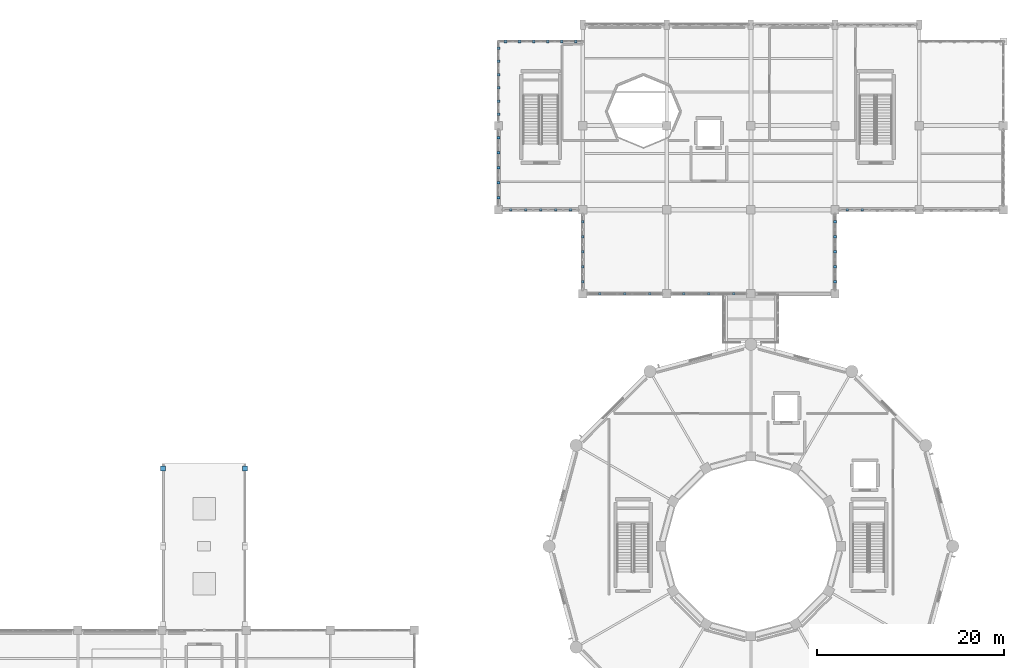
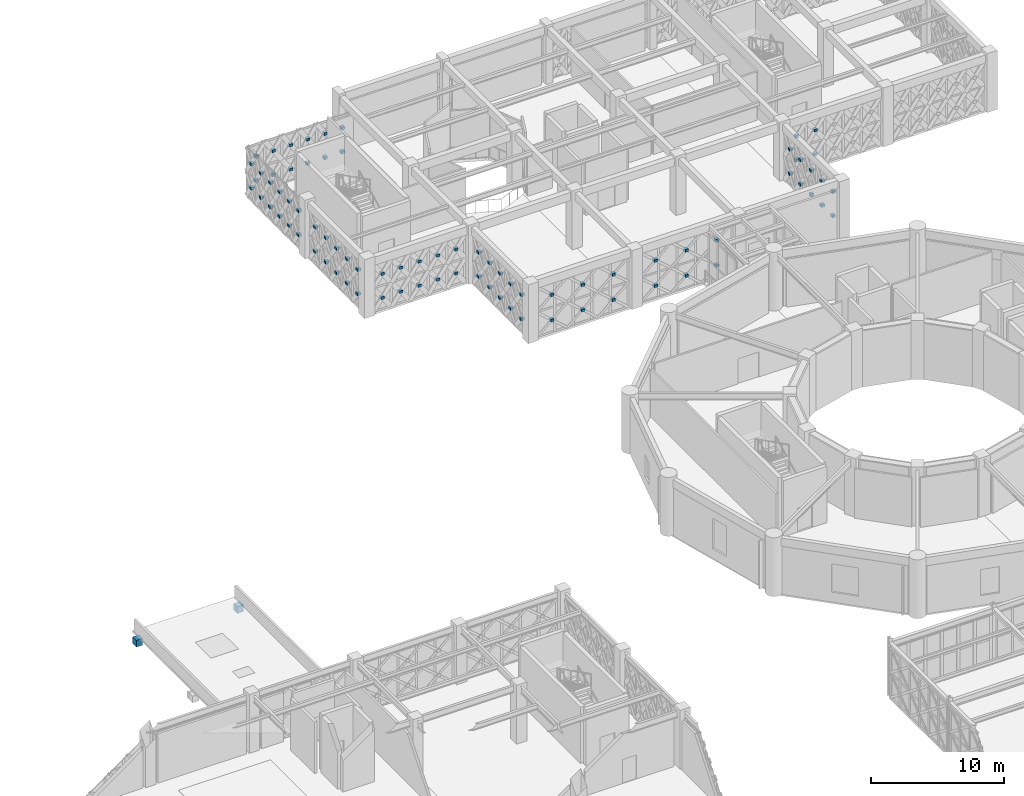
# One storey, part 142 of 155: 82 discrete accessories.
"""IFC4 building model written with IfcOpenShell, lengths in metres."""

import ifcopenshell
import ifcopenshell.guid

model = None  # the IFC model being written
_history = None  # IfcOwnerHistory: only IFC2X3 demands one
_inside = {}  # id of a spatial element -> (the spatial element, [elements in it])
_under = {}  # id of a project, library or spatial element -> (it, [spatial elements below it])
_declared = {}  # id of a project -> (the project, [libraries it declares])
_typed = {}  # id of a type object -> (the type object, [elements of that type])
_made_of = {}  # id of a material, layer set ... -> (it, [elements and type objects made of it])


def new_model(schema):
    """Start an empty IFC model of exactly this schema.

    Asked for "IFC4X3", IfcOpenShell would pick the latest addendum, in which some entities
    have other attributes; the version numbers below select the first issue.
    IFC2X3 requires an IfcOwnerHistory on every rooted entity: one is made here for all.
    """
    global model, _history
    if schema == "IFC4X3":
        model = ifcopenshell.file(schema_version=(4, 3, 0, 0))
    else:
        model = ifcopenshell.file(schema=schema)
    _inside.clear()
    _under.clear()
    _declared.clear()
    _typed.clear()
    _made_of.clear()
    _history = None
    if model.schema == "IFC2X3":
        org = make("IfcOrganization", Name="unknown")
        user = make(
            "IfcPersonAndOrganization",
            ThePerson=make("IfcPerson", FamilyName="unknown"),
            TheOrganization=org,
        )
        app = make(
            "IfcApplication",
            ApplicationDeveloper=org,
            Version="unknown",
            ApplicationFullName="unknown",
            ApplicationIdentifier="unknown",
        )
        _history = make(
            "IfcOwnerHistory",
            OwningUser=user,
            OwningApplication=app,
            ChangeAction="ADDED",
            CreationDate=0,
        )
    return model


def make(cls, **values):
    """One entity of the class cls with the attributes given. An attribute that is None is left unset."""
    return model.create_entity(
        cls, **{name: value for name, value in values.items() if value is not None}
    )


def rooted(cls, **values):
    """An entity with a GlobalId (a new one), such as an element, a storey or a relation."""
    return make(cls, GlobalId=ifcopenshell.guid.new(), OwnerHistory=_history, **values)


def si_unit(unit_type, name, prefix=None):
    """IfcSIUnit, for example si_unit("LENGTHUNIT", "METRE", prefix="MILLI")."""
    return make("IfcSIUnit", UnitType=unit_type, Prefix=prefix, Name=name)


def assignment(units):
    """IfcUnitAssignment: the units of a project."""
    return None if units is None else make("IfcUnitAssignment", Units=units)


def point(xyz):
    """IfcCartesianPoint."""
    return None if xyz is None else make("IfcCartesianPoint", Coordinates=xyz)


def direction(xyz):
    """IfcDirection."""
    return None if xyz is None else make("IfcDirection", DirectionRatios=xyz)


def frame(location, z_axis=None, x_axis=None):
    """IfcAxis2Placement3D, a coordinate frame: its origin and axes. An axis left out is left unset."""
    return make(
        "IfcAxis2Placement3D",
        Location=point(location),
        Axis=direction(z_axis),
        RefDirection=direction(x_axis),
    )


def frame_2d(location, x_axis=None):
    """IfcAxis2Placement2D, a coordinate frame in the plane: its origin and x axis."""
    return make(
        "IfcAxis2Placement2D", Location=point(location), RefDirection=direction(x_axis)
    )


def origin():
    """The frame at (0, 0, 0) with its axes left unset."""
    return frame((0.0, 0.0, 0.0))


def origin_2d():
    """The frame at (0, 0) in the plane with its x axis left unset."""
    return frame_2d((0.0, 0.0))


def place(relative_to, where):
    """IfcLocalPlacement: puts the frame where relative to a parent placement (None: the world)."""
    return make(
        "IfcLocalPlacement", PlacementRelTo=relative_to, RelativePlacement=where
    )


def context(
    kind, dimensions, precision=None, world=None, true_north=None, identifier=None
):
    """IfcGeometricRepresentationContext, for example the 3D "Model" context."""
    return make(
        "IfcGeometricRepresentationContext",
        ContextIdentifier=identifier,
        ContextType=kind,
        CoordinateSpaceDimension=dimensions,
        Precision=precision,
        WorldCoordinateSystem=world,
        TrueNorth=true_north,
    )


def subcontext(parent, identifier, kind, view, scale=None):
    """IfcGeometricRepresentationSubContext, for example "Body" below "Model"."""
    return make(
        "IfcGeometricRepresentationSubContext",
        ContextIdentifier=identifier,
        ContextType=kind,
        ParentContext=parent,
        TargetScale=scale,
        TargetView=view,
    )


def project(units=None, contexts=None):
    """IfcProject with its units and contexts."""
    return rooted(
        "IfcProject",
        Name="project",
        RepresentationContexts=contexts,
        UnitsInContext=assignment(units),
    )


def spatial(cls, under=None, at=None, **own):
    """A site, building, storey or space (cls), placed at a placement, below another one or the project."""
    s = rooted(cls, ObjectPlacement=at, **own)
    if under is not None:
        _under.setdefault(under.id(), (under, []))[1].append(s)
    return s


def profile(cls, at=None, kind="AREA", **sizes):
    """A parametric profile (cls). Its sizes go by their IFC names, for example OverallWidth=200.0."""
    return make(cls, ProfileType=kind, Position=at, **sizes)


def rectangle(**sizes):
    """IfcRectangleProfileDef."""
    return profile("IfcRectangleProfileDef", **sizes)


def extrude(swept, where, along, depth):
    """IfcExtrudedAreaSolid: the profile swept, set in the frame where, extruded along a direction by depth."""
    return make(
        "IfcExtrudedAreaSolid",
        SweptArea=swept,
        Position=where,
        ExtrudedDirection=direction(along),
        Depth=depth,
    )


def shape(context_of_items, identifier, shape_type, items):
    """IfcShapeRepresentation: the items that make up one representation, for example the "Body"."""
    return make(
        "IfcShapeRepresentation",
        ContextOfItems=context_of_items,
        RepresentationIdentifier=identifier,
        RepresentationType=shape_type,
        Items=items,
    )


def material(Name=None, Category=None):
    """IfcMaterial."""
    return make("IfcMaterial", Name=Name, Category=Category)


def made_of(thing, what):
    """Note that an element or type object is made of a material, layer set ...; save() writes the relation."""
    if what is not None:
        _made_of.setdefault(what.id(), (what, []))[1].append(thing)
    return thing


def type_object(cls, material=None, **own):
    """A type object (cls), such as IfcWallType, which elements share."""
    return made_of(rooted(cls, **own), material)


def element(
    cls,
    number,
    at=None,
    inside=None,
    cuts=None,
    type_object=None,
    material=None,
    context=None,
    identifier="Body",
    shape_type=None,
    held_by="IfcProductDefinitionShape",
    body=None,
    shapes=None,
    **own,
):
    """One element of the class cls, such as IfcWall. Its Tag is "e" and its number.

    at: its placement. inside: the storey or other place that contains it. cuts: it is an
    opening in that element (IfcRelVoidsElement). A single representation is given by context,
    identifier, shape_type and body (its items); several are given by shapes. held_by: the class
    of the entity that holds the representations. save() writes the other relations.
    """
    e = rooted(cls, Tag="e%d" % number, ObjectPlacement=at, **own)
    if body is not None:
        shapes = [shape(context, identifier, shape_type, body)]
    if shapes is not None:
        e.Representation = make(held_by, Representations=shapes)
    if inside is not None:
        _inside.setdefault(inside.id(), (inside, []))[1].append(e)
    if cuts is not None:
        rooted(
            "IfcRelVoidsElement", RelatingBuildingElement=cuts, RelatedOpeningElement=e
        )
    if type_object is not None:
        _typed.setdefault(type_object.id(), (type_object, []))[1].append(e)
    return made_of(e, material)


def aggregate(whole, parts):
    """IfcRelAggregates: a whole, such as a stair, and the parts it consists of."""
    return rooted("IfcRelAggregates", RelatingObject=whole, RelatedObjects=parts)


def save(model, path):
    """Write the relations noted so far, then the file.

    IfcRelAggregates (storeys below a building ...), IfcRelContainedInSpatialStructure (elements
    in a storey), IfcRelDefinesByType, IfcRelAssociatesMaterial and IfcRelDeclares: one each for
    every whole, place, type object, material and project.
    """
    for whole, parts in _under.values():
        aggregate(whole, parts)
    for where, things in _inside.values():
        rooted(
            "IfcRelContainedInSpatialStructure",
            RelatedElements=things,
            RelatingStructure=where,
        )
    for kind, things in _typed.values():
        rooted("IfcRelDefinesByType", RelatedObjects=things, RelatingType=kind)
    for what, things in _made_of.values():
        rooted("IfcRelAssociatesMaterial", RelatedObjects=things, RelatingMaterial=what)
    for by, libraries in _declared.values():
        rooted("IfcRelDeclares", RelatingContext=by, RelatedDefinitions=libraries)
    model.write(path)


model = new_model("IFC4")

# Units and contexts
model_context = context("Model", 3, precision=1e-05, world=origin(), true_north=direction((0.0, 1.0)))
body_context = subcontext(model_context, "Body", "Model", "MODEL_VIEW")
ifc_project = project(units=[si_unit("LENGTHUNIT", "METRE"), si_unit("AREAUNIT", "SQUARE_METRE"), si_unit("VOLUMEUNIT", "CUBIC_METRE"), si_unit("PLANEANGLEUNIT", "RADIAN"), si_unit("MASSUNIT", "GRAM", prefix="KILO")], contexts=[model_context])

# Site, building, storey
site_placement = place(None, origin())
site = spatial("IfcSite", under=ifc_project, at=site_placement, CompositionType="ELEMENT")
building_placement = place(site_placement, origin())
building = spatial("IfcBuilding", under=site, at=building_placement, Name="Haizhuo Lancet Aquarium", CompositionType="ELEMENT")
storey_placement = place(building_placement, frame((0.0, 0.0, 10.800048828125)))
storey = spatial("IfcBuildingStorey", under=building, at=storey_placement, Name="L02", CompositionType="ELEMENT", Elevation=10.800048828125)

# Discrete accessories
ifc_material = material(Name="Steel S355", Category="steel")
discrete_accessory_type = type_object("IfcDiscreteAccessoryType", Name="ACC-END-CAP", PredefinedType="BRACKET", material=ifc_material)
for number, where, z_axis, x_axis, name in (
    (1, (-62.8798828125, 8.320068359375, -0.9501953125), (0.0, 0.0, 1.0), (1.0, 0.0, 0.0), "L02 welded Steel S355 brace end-cap bracket EC-SB-1-4"),
    (2, (-54.1201171875, 8.320068359375, -0.9501953125), (0.0, 0.0, 1.0), (1.0, 0.0, 0.0), "L02 welded Steel S355 brace end-cap bracket EC-SB-2-4"),
):
    element("IfcDiscreteAccessory", number, at=place(storey_placement, frame(where, z_axis=z_axis, x_axis=x_axis)), inside=storey, type_object=discrete_accessory_type, material=ifc_material, Name=name, PredefinedType="BRACKET", context=body_context, shape_type="SweptSolid", body=[
        extrude(rectangle(XDim=0.550048828125, YDim=0.550048828125, at=origin_2d()), origin(), (0.0, 0.0, 1.0), 0.60009765625),
    ])
for number, where, z_axis, x_axis, name in (
    (3, (-19.2958984375, 36.0, 0.98193359375), (0.0, 0.0, 1.0), (1.0, 0.0, 0.0), "L02 X-brace crossing gusset plate XN-CW-V5-L02-143-LB01B1"),
    (4, (-19.2958984375, 36.0, 3.18798828125), (0.0, 0.0, 1.0), (1.0, 0.0, 0.0), "L02 X-brace crossing gusset plate XN-CW-V5-L02-143-LB02B1"),
    (5, (-20.89794921875, 36.0, 0.98193359375), (0.0, 0.0, 1.0), (1.0, 0.0, 0.0), "L02 X-brace crossing gusset plate XN-CW-V5-L02-143-LB03B1"),
    (6, (-20.89794921875, 36.0, 3.18798828125), (0.0, 0.0, 1.0), (1.0, 0.0, 0.0), "L02 X-brace crossing gusset plate XN-CW-V5-L02-143-LB04B1"),
    (7, (-22.5, 36.0, 0.98193359375), (0.0, 0.0, 1.0), (1.0, 0.0, 0.0), "L02 X-brace crossing gusset plate XN-CW-V5-L02-143-LB05B1"),
    (8, (-22.5, 36.0, 3.18798828125), (0.0, 0.0, 1.0), (1.0, 0.0, 0.0), "L02 X-brace crossing gusset plate XN-CW-V5-L02-143-LB06B1"),
    (9, (-24.10205078125, 36.0, 0.98193359375), (0.0, 0.0, 1.0), (1.0, 0.0, 0.0), "L02 X-brace crossing gusset plate XN-CW-V5-L02-143-LB07B1"),
    (10, (-24.10205078125, 36.0, 3.18798828125), (0.0, 0.0, 1.0), (1.0, 0.0, 0.0), "L02 X-brace crossing gusset plate XN-CW-V5-L02-143-LB08B1"),
    (11, (-25.7041015625, 36.0, 0.98193359375), (0.0, 0.0, 1.0), (1.0, 0.0, 0.0), "L02 X-brace crossing gusset plate XN-CW-V5-L02-143-LB09B1"),
    (12, (-25.7041015625, 36.0, 3.18798828125), (0.0, 0.0, 1.0), (1.0, 0.0, 0.0), "L02 X-brace crossing gusset plate XN-CW-V5-L02-143-LB10B1"),
    (13, (-27.0, 37.2958984375, 0.9951171875), (0.0, 0.0, 1.0), (1.0, 0.0, 0.0), "L02 X-brace crossing gusset plate XN-CW-V5-L02-144-LB01B1"),
    (14, (-27.0, 37.2958984375, 3.22509765625), (0.0, 0.0, 1.0), (1.0, 0.0, 0.0), "L02 X-brace crossing gusset plate XN-CW-V5-L02-144-LB02B1"),
    (15, (-27.0, 38.89794921875, 0.9951171875), (0.0, 0.0, 1.0), (1.0, 0.0, 0.0), "L02 X-brace crossing gusset plate XN-CW-V5-L02-144-LB03B1"),
    (16, (-27.0, 38.89794921875, 3.22509765625), (0.0, 0.0, 1.0), (1.0, 0.0, 0.0), "L02 X-brace crossing gusset plate XN-CW-V5-L02-144-LB04B1"),
    (17, (-27.0, 40.5, 0.9951171875), (0.0, 0.0, 1.0), (1.0, 0.0, 0.0), "L02 X-brace crossing gusset plate XN-CW-V5-L02-144-LB05B1"),
    (18, (-27.0, 40.5, 3.22509765625), (0.0, 0.0, 1.0), (1.0, 0.0, 0.0), "L02 X-brace crossing gusset plate XN-CW-V5-L02-144-LB06B1"),
    (19, (-27.0, 42.10205078125, 0.9951171875), (0.0, 0.0, 1.0), (1.0, 0.0, 0.0), "L02 X-brace crossing gusset plate XN-CW-V5-L02-144-LB07B1"),
    (20, (-27.0, 42.10205078125, 3.22509765625), (0.0, 0.0, 1.0), (1.0, 0.0, 0.0), "L02 X-brace crossing gusset plate XN-CW-V5-L02-144-LB08B1"),
    (21, (-27.0, 43.7041015625, 0.9951171875), (0.0, 0.0, 1.0), (1.0, 0.0, 0.0), "L02 X-brace crossing gusset plate XN-CW-V5-L02-144-LB09B1"),
    (22, (-27.0, 43.7041015625, 3.22509765625), (0.0, 0.0, 1.0), (1.0, 0.0, 0.0), "L02 X-brace crossing gusset plate XN-CW-V5-L02-144-LB10B1"),
    (23, (-27.0, 46.202880859375, 0.9921875), (0.0, 0.0, 1.0), (1.0, 0.0, 0.0), "L02 X-brace crossing gusset plate XN-CW-V5-L02-145-LB01B1"),
    (24, (-27.0, 46.202880859375, 3.2138671875), (0.0, 0.0, 1.0), (1.0, 0.0, 0.0), "L02 X-brace crossing gusset plate XN-CW-V5-L02-145-LB02B1"),
    (25, (-27.0, 47.62109375, 0.9921875), (0.0, 0.0, 1.0), (1.0, 0.0, 0.0), "L02 X-brace crossing gusset plate XN-CW-V5-L02-145-LB03B1"),
    (26, (-27.0, 47.62109375, 3.2138671875), (0.0, 0.0, 1.0), (1.0, 0.0, 0.0), "L02 X-brace crossing gusset plate XN-CW-V5-L02-145-LB04B1"),
    (27, (-27.0, 49.0390625, 0.9921875), (0.0, 0.0, 1.0), (1.0, 0.0, 0.0), "L02 X-brace crossing gusset plate XN-CW-V5-L02-145-LB05B1"),
    (28, (-27.0, 49.0390625, 3.2138671875), (0.0, 0.0, 1.0), (1.0, 0.0, 0.0), "L02 X-brace crossing gusset plate XN-CW-V5-L02-145-LB06B1"),
    (29, (-27.0, 50.4560546875, 0.9921875), (0.0, 0.0, 1.0), (1.0, 0.0, 0.0), "L02 X-brace crossing gusset plate XN-CW-V5-L02-145-LB07B1"),
    (30, (-27.0, 50.4560546875, 3.2138671875), (0.0, 0.0, 1.0), (1.0, 0.0, 0.0), "L02 X-brace crossing gusset plate XN-CW-V5-L02-145-LB08B1"),
    (31, (-27.0, 51.8740234375, 0.9921875), (0.0, 0.0, 1.0), (1.0, 0.0, 0.0), "L02 X-brace crossing gusset plate XN-CW-V5-L02-145-LB09B1"),
    (32, (-27.0, 51.8740234375, 3.2138671875), (0.0, 0.0, 1.0), (1.0, 0.0, 0.0), "L02 X-brace crossing gusset plate XN-CW-V5-L02-145-LB10B1"),
    (33, (-27.0, 53.291015625, 0.9921875), (0.0, 0.0, 1.0), (1.0, 0.0, 0.0), "L02 X-brace crossing gusset plate XN-CW-V5-L02-145-LB11B1"),
    (34, (-27.0, 53.291015625, 3.2138671875), (0.0, 0.0, 1.0), (1.0, 0.0, 0.0), "L02 X-brace crossing gusset plate XN-CW-V5-L02-145-LB12B1"),
    (35, (-26.25, 54.0, 0.9921875), (0.0, 0.0, 1.0), (1.0, 0.0, 0.0), "L02 X-brace crossing gusset plate XN-CW-V5-L02-146-LB01B1"),
    (36, (-26.25, 54.0, 3.2138671875), (0.0, 0.0, 1.0), (1.0, 0.0, 0.0), "L02 X-brace crossing gusset plate XN-CW-V5-L02-146-LB02B1"),
    (37, (-24.75, 54.0, 0.9921875), (0.0, 0.0, 1.0), (1.0, 0.0, 0.0), "L02 X-brace crossing gusset plate XN-CW-V5-L02-146-LB03B1"),
    (38, (-24.75, 54.0, 3.2138671875), (0.0, 0.0, 1.0), (1.0, 0.0, 0.0), "L02 X-brace crossing gusset plate XN-CW-V5-L02-146-LB04B1"),
    (39, (-23.25, 54.0, 0.9921875), (0.0, 0.0, 1.0), (1.0, 0.0, 0.0), "L02 X-brace crossing gusset plate XN-CW-V5-L02-146-LB05B1"),
    (40, (-23.25, 54.0, 3.2138671875), (0.0, 0.0, 1.0), (1.0, 0.0, 0.0), "L02 X-brace crossing gusset plate XN-CW-V5-L02-146-LB06B1"),
    (41, (-21.75, 54.0, 0.9921875), (0.0, 0.0, 1.0), (1.0, 0.0, 0.0), "L02 X-brace crossing gusset plate XN-CW-V5-L02-146-LB07B1"),
    (42, (-21.75, 54.0, 3.2138671875), (0.0, 0.0, 1.0), (1.0, 0.0, 0.0), "L02 X-brace crossing gusset plate XN-CW-V5-L02-146-LB08B1"),
    (43, (-20.25, 54.0, 0.9921875), (0.0, 0.0, 1.0), (1.0, 0.0, 0.0), "L02 X-brace crossing gusset plate XN-CW-V5-L02-146-LB09B1"),
    (44, (-20.25, 54.0, 3.2138671875), (0.0, 0.0, 1.0), (1.0, 0.0, 0.0), "L02 X-brace crossing gusset plate XN-CW-V5-L02-146-LB10B1"),
    (45, (-18.75, 54.0, 0.9921875), (0.0, 0.0, 1.0), (1.0, 0.0, 0.0), "L02 X-brace crossing gusset plate XN-CW-V5-L02-146-LB11B1"),
    (46, (-18.75, 54.0, 3.2138671875), (0.0, 0.0, 1.0), (1.0, 0.0, 0.0), "L02 X-brace crossing gusset plate XN-CW-V5-L02-146-LB12B1"),
    (47, (11.89794921875, 36.0, 0.98193359375), (0.0, 0.0, 1.0), (1.0, 0.0, 0.0), "L02 X-brace crossing gusset plate XN-CW-V5-L02-155-LB07B1"),
    (48, (11.89794921875, 36.0, 3.18798828125), (0.0, 0.0, 1.0), (1.0, 0.0, 0.0), "L02 X-brace crossing gusset plate XN-CW-V5-L02-155-LB08B1"),
    (49, (10.2958984375, 36.0, 0.98193359375), (0.0, 0.0, 1.0), (1.0, 0.0, 0.0), "L02 X-brace crossing gusset plate XN-CW-V5-L02-155-LB09B1"),
    (50, (10.2958984375, 36.0, 3.18798828125), (0.0, 0.0, 1.0), (1.0, 0.0, 0.0), "L02 X-brace crossing gusset plate XN-CW-V5-L02-155-LB10B1"),
    (51, (9.0, 34.7041015625, 0.9951171875), (0.0, 0.0, 1.0), (1.0, 0.0, 0.0), "L02 X-brace crossing gusset plate XN-CW-V5-L02-156-LB01B1"),
    (52, (9.0, 34.7041015625, 3.22509765625), (0.0, 0.0, 1.0), (1.0, 0.0, 0.0), "L02 X-brace crossing gusset plate XN-CW-V5-L02-156-LB02B1"),
    (53, (9.0, 33.10205078125, 0.9951171875), (0.0, 0.0, 1.0), (1.0, 0.0, 0.0), "L02 X-brace crossing gusset plate XN-CW-V5-L02-156-LB03B1"),
    (54, (9.0, 33.10205078125, 3.22509765625), (0.0, 0.0, 1.0), (1.0, 0.0, 0.0), "L02 X-brace crossing gusset plate XN-CW-V5-L02-156-LB04B1"),
    (55, (9.0, 31.5, 0.9951171875), (0.0, 0.0, 1.0), (1.0, 0.0, 0.0), "L02 X-brace crossing gusset plate XN-CW-V5-L02-156-LB05B1"),
    (56, (9.0, 31.5, 3.22509765625), (0.0, 0.0, 1.0), (1.0, 0.0, 0.0), "L02 X-brace crossing gusset plate XN-CW-V5-L02-156-LB06B1"),
    (57, (9.0, 29.89794921875, 0.9951171875), (0.0, 0.0, 1.0), (1.0, 0.0, 0.0), "L02 X-brace crossing gusset plate XN-CW-V5-L02-156-LB07B1"),
    (58, (9.0, 29.89794921875, 3.22509765625), (0.0, 0.0, 1.0), (1.0, 0.0, 0.0), "L02 X-brace crossing gusset plate XN-CW-V5-L02-156-LB08B1"),
    (59, (9.0, 28.2958984375, 0.9951171875), (0.0, 0.0, 1.0), (1.0, 0.0, 0.0), "L02 X-brace crossing gusset plate XN-CW-V5-L02-156-LB09B1"),
    (60, (9.0, 28.2958984375, 3.22509765625), (0.0, 0.0, 1.0), (1.0, 0.0, 0.0), "L02 X-brace crossing gusset plate XN-CW-V5-L02-156-LB10B1"),
    (61, (-1.830078125, 27.0, 1.04296875), (0.0, 0.0, 1.0), (1.0, 0.0, 0.0), "L02 X-brace crossing gusset plate XN-CW-V5-L02-157-LB01B1"),
    (62, (-1.830078125, 27.0, 3.3671875), (0.0, 0.0, 1.0), (1.0, 0.0, 0.0), "L02 X-brace crossing gusset plate XN-CW-V5-L02-157-LB02B1"),
    (63, (-4.5, 27.0, 1.04296875), (0.0, 0.0, 1.0), (1.0, 0.0, 0.0), "L02 X-brace crossing gusset plate XN-CW-V5-L02-157-LB03B1"),
    (64, (-4.5, 27.0, 3.3671875), (0.0, 0.0, 1.0), (1.0, 0.0, 0.0), "L02 X-brace crossing gusset plate XN-CW-V5-L02-157-LB04B1"),
    (65, (-7.169921875, 27.0, 1.04296875), (0.0, 0.0, 1.0), (1.0, 0.0, 0.0), "L02 X-brace crossing gusset plate XN-CW-V5-L02-157-LB05B1"),
    (66, (-7.169921875, 27.0, 3.3671875), (0.0, 0.0, 1.0), (1.0, 0.0, 0.0), "L02 X-brace crossing gusset plate XN-CW-V5-L02-157-LB06B1"),
    (67, (-10.830078125, 27.0, 1.04296875), (0.0, 0.0, 1.0), (1.0, 0.0, 0.0), "L02 X-brace crossing gusset plate XN-CW-V5-L02-158-LB01B1"),
    (68, (-10.830078125, 27.0, 3.3671875), (0.0, 0.0, 1.0), (1.0, 0.0, 0.0), "L02 X-brace crossing gusset plate XN-CW-V5-L02-158-LB02B1"),
    (69, (-13.5, 27.0, 1.04296875), (0.0, 0.0, 1.0), (1.0, 0.0, 0.0), "L02 X-brace crossing gusset plate XN-CW-V5-L02-158-LB03B1"),
    (70, (-13.5, 27.0, 3.3671875), (0.0, 0.0, 1.0), (1.0, 0.0, 0.0), "L02 X-brace crossing gusset plate XN-CW-V5-L02-158-LB04B1"),
    (71, (-16.169921875, 27.0, 1.04296875), (0.0, 0.0, 1.0), (1.0, 0.0, 0.0), "L02 X-brace crossing gusset plate XN-CW-V5-L02-158-LB05B1"),
    (72, (-16.169921875, 27.0, 3.3671875), (0.0, 0.0, 1.0), (1.0, 0.0, 0.0), "L02 X-brace crossing gusset plate XN-CW-V5-L02-158-LB06B1"),
    (73, (-18.0, 28.2958984375, 0.9951171875), (0.0, 0.0, 1.0), (1.0, 0.0, 0.0), "L02 X-brace crossing gusset plate XN-CW-V5-L02-159-LB01B1"),
    (74, (-18.0, 28.2958984375, 3.22509765625), (0.0, 0.0, 1.0), (1.0, 0.0, 0.0), "L02 X-brace crossing gusset plate XN-CW-V5-L02-159-LB02B1"),
    (75, (-18.0, 29.89794921875, 0.9951171875), (0.0, 0.0, 1.0), (1.0, 0.0, 0.0), "L02 X-brace crossing gusset plate XN-CW-V5-L02-159-LB03B1"),
    (76, (-18.0, 29.89794921875, 3.22509765625), (0.0, 0.0, 1.0), (1.0, 0.0, 0.0), "L02 X-brace crossing gusset plate XN-CW-V5-L02-159-LB04B1"),
    (77, (-18.0, 31.5, 0.9951171875), (0.0, 0.0, 1.0), (1.0, 0.0, 0.0), "L02 X-brace crossing gusset plate XN-CW-V5-L02-159-LB05B1"),
    (78, (-18.0, 31.5, 3.22509765625), (0.0, 0.0, 1.0), (1.0, 0.0, 0.0), "L02 X-brace crossing gusset plate XN-CW-V5-L02-159-LB06B1"),
    (79, (-18.0, 33.10205078125, 0.9951171875), (0.0, 0.0, 1.0), (1.0, 0.0, 0.0), "L02 X-brace crossing gusset plate XN-CW-V5-L02-159-LB07B1"),
    (80, (-18.0, 33.10205078125, 3.22509765625), (0.0, 0.0, 1.0), (1.0, 0.0, 0.0), "L02 X-brace crossing gusset plate XN-CW-V5-L02-159-LB08B1"),
    (81, (-18.0, 34.7041015625, 0.9951171875), (0.0, 0.0, 1.0), (1.0, 0.0, 0.0), "L02 X-brace crossing gusset plate XN-CW-V5-L02-159-LB09B1"),
    (82, (-18.0, 34.7041015625, 3.22509765625), (0.0, 0.0, 1.0), (1.0, 0.0, 0.0), "L02 X-brace crossing gusset plate XN-CW-V5-L02-159-LB10B1"),
):
    element("IfcDiscreteAccessory", number, at=place(storey_placement, frame(where, z_axis=z_axis, x_axis=x_axis)), inside=storey, type_object=discrete_accessory_type, material=ifc_material, Name=name, PredefinedType="BRACKET", context=body_context, shape_type="SweptSolid", body=[
        extrude(rectangle(XDim=0.280029296875, YDim=0.280029296875, at=origin_2d()), origin(), (0.0, 0.0, 1.0), 0.239990234375),
    ])

save(model, "model.ifc")
